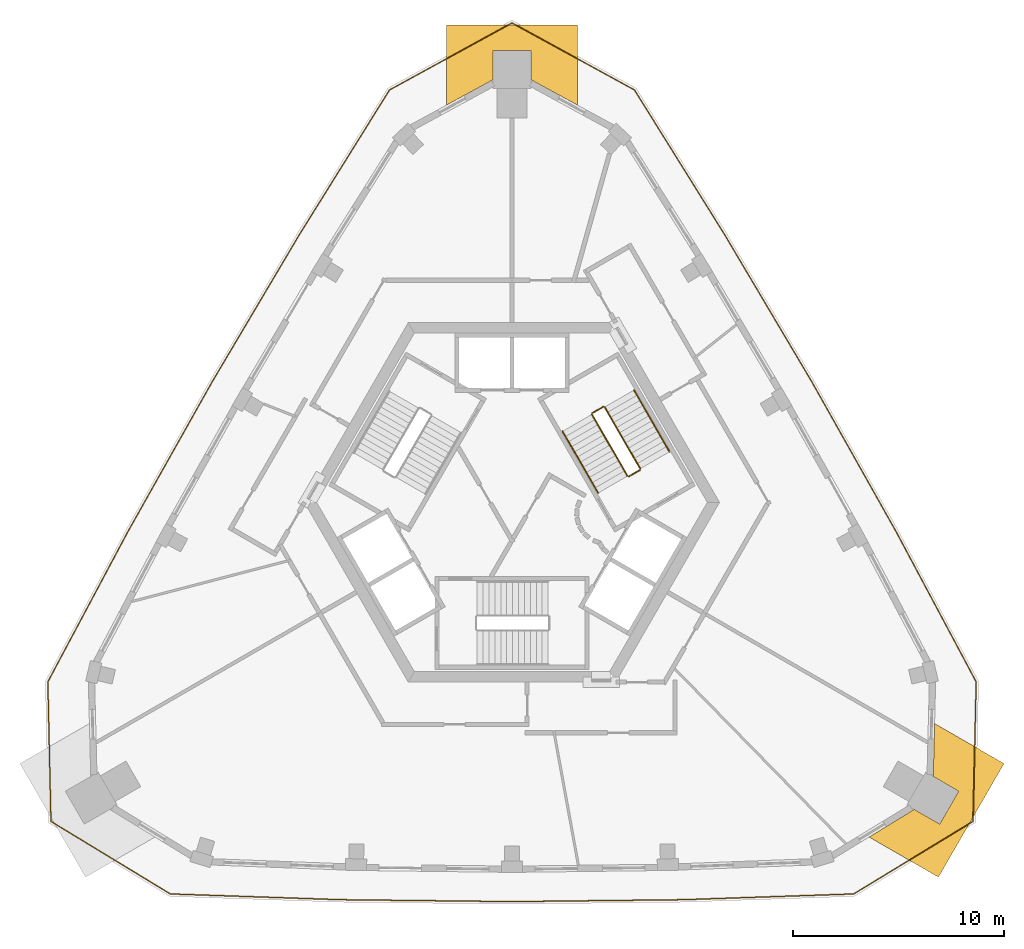
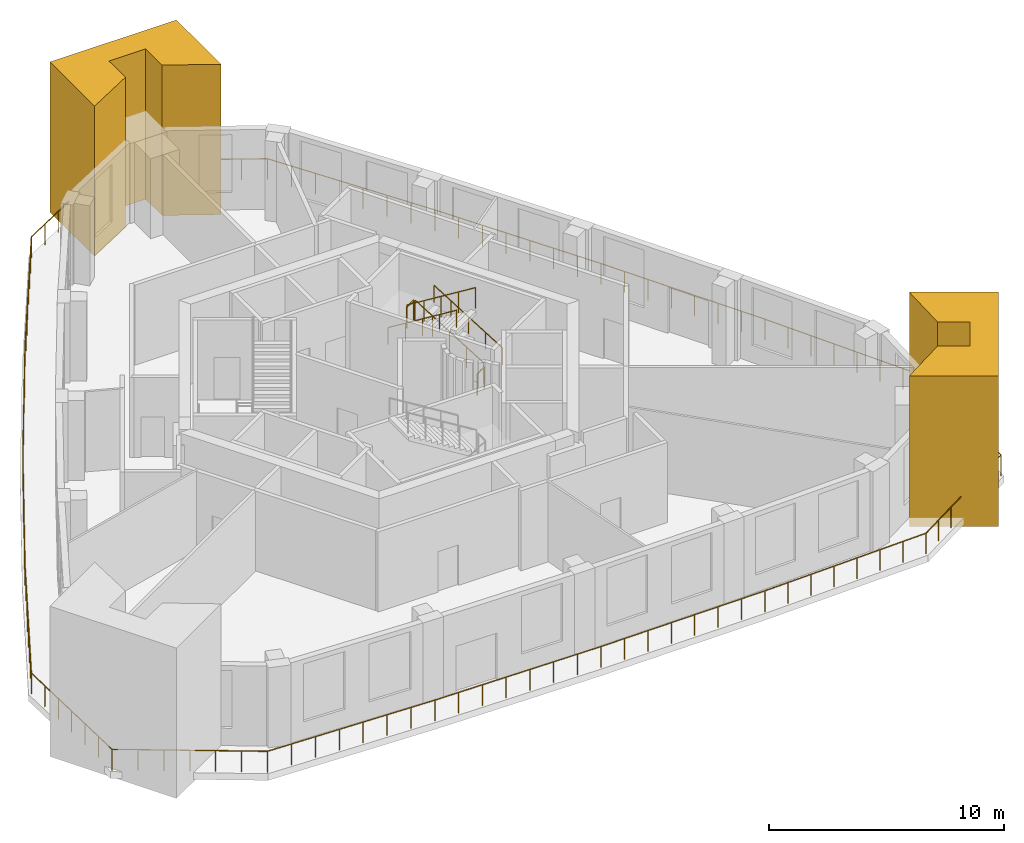
# One storey, part 7 of 7: 7 railings, 2 coverings.
"""IFC4 building model written with IfcOpenShell, lengths in metres."""

from ifc_helpers import new_model, si_unit, direction, frame, origin, origin_2d, place, context, subcontext, project, spatial, polyline, circle, outline, extrude, material, type_object, element, save


model = new_model("IFC4")

# Units and contexts
model_context = context("Model", 3, precision=1e-05, world=origin(), true_north=direction((0.0, 1.0)))
body_context = subcontext(model_context, "Body", "Model", "MODEL_VIEW")
ifc_project = project(units=[si_unit("LENGTHUNIT", "METRE"), si_unit("AREAUNIT", "SQUARE_METRE"), si_unit("VOLUMEUNIT", "CUBIC_METRE"), si_unit("PLANEANGLEUNIT", "RADIAN"), si_unit("MASSUNIT", "GRAM", prefix="KILO")], contexts=[model_context])

# Site, building, storey
site_placement = place(None, origin())
site = spatial("IfcSite", under=ifc_project, at=site_placement, CompositionType="ELEMENT")
building_placement = place(site_placement, origin())
building = spatial("IfcBuilding", under=site, at=building_placement, Name="Entoto Arch Interchange Tower", CompositionType="ELEMENT")
storey_placement = place(building_placement, frame((0.0, 0.0, 340.39990234375)))
storey = spatial("IfcBuildingStorey", under=building, at=storey_placement, Name="L80", CompositionType="ELEMENT", Elevation=340.39990234375)

# Railing
ifc_material_1 = material(Name="Stainless steel 1.4301", Category="steel")
railing_type_1 = type_object("IfcRailingType", Name="GUARD 1100 STEEL AND GLASS", PredefinedType="GUARDRAIL", material=ifc_material_1)
railing_1_placement = place(storey_placement, frame((-16.157958984375, -16.01708984375, 0.0)))
element("IfcRailing", 1, at=railing_1_placement, inside=storey, type_object=railing_type_1, Name="Terrace guard L80", PredefinedType="GUARDRAIL", context=body_context, shape_type="SweptSolid", body=[
    extrude(circle(Radius=0.02392578125, at=origin_2d()), frame((0.0, 0.0, 1.076171875), z_axis=(-0.854662166932, 0.519184534068, 0.0), x_axis=(-0.519184534068, -0.854662166932, 0.0)), (0.0, 0.0, 1.0), 6.60498046875),
    extrude(circle(Radius=0.02392578125, at=origin_2d()), frame((-5.64501953125, 3.42919921875, 1.076171875), z_axis=(-0.022253685279, 0.999752356082, 0.0), x_axis=(-0.999752356082, -0.022253685279, 0.0)), (0.0, 0.0, 1.0), 6.6044921875),
    extrude(circle(Radius=0.02392578125, at=origin_2d()), frame((-5.7919921875, 10.031982421875, 1.076171875), z_axis=(0.470449991734, 0.882426657166, 0.0), x_axis=(-0.882426657166, 0.470449991734, 0.0)), (0.0, 0.0, 1.0), 8.066650390625),
    extrude(circle(Radius=0.02392578125, at=origin_2d()), frame((-1.9970703125, 17.150146484375, 1.076171875), z_axis=(0.490305617372, 0.871550573159, 0.0), x_axis=(-0.871550573159, 0.490305617372, 0.0)), (0.0, 0.0, 1.0), 8.096923828125),
    extrude(circle(Radius=0.02392578125, at=origin_2d()), frame((1.972900390625, 24.20703125, 1.076171875), z_axis=(0.509703204046, 0.860350302949, 0.0), x_axis=(-0.860350302949, 0.509703204046, 0.0)), (0.0, 0.0, 1.0), 8.0966796875),
    extrude(circle(Radius=0.02392578125, at=origin_2d()), frame((6.099853515625, 31.173095703125, 1.076171875), z_axis=(0.52878766674, 0.848754147857, 0.0), x_axis=(-0.848754147857, 0.52878766674, 0.0)), (0.0, 0.0, 1.0), 8.06591796875),
    extrude(circle(Radius=0.02392578125, at=origin_2d()), frame((10.364990234375, 38.01904296875, 1.076171875), z_axis=(0.877048065384, 0.480402634263, 0.0), x_axis=(-0.480402634263, 0.877048065384, 0.0)), (0.0, 0.0, 1.0), 6.60498046875),
    extrude(circle(Radius=0.02392578125, at=origin_2d()), frame((16.157958984375, 41.192138671875, 1.076171875), z_axis=(0.877048065384, -0.480402634263, 0.0), x_axis=(0.480402634263, 0.877048065384, 0.0)), (0.0, 0.0, 1.0), 6.60498046875),
    extrude(circle(Radius=0.02392578125, at=origin_2d()), frame((21.950927734375, 38.01904296875, 1.076171875), z_axis=(0.52878766674, -0.848754147857, 0.0), x_axis=(0.848754147857, 0.52878766674, 0.0)), (0.0, 0.0, 1.0), 8.06591796875),
    extrude(circle(Radius=0.02392578125, at=origin_2d()), frame((26.216064453125, 31.173095703125, 1.076171875), z_axis=(0.509703204046, -0.860350302949, 0.0), x_axis=(0.860350302949, 0.509703204046, 0.0)), (0.0, 0.0, 1.0), 8.0966796875),
    extrude(circle(Radius=0.02392578125, at=origin_2d()), frame((30.343017578125, 24.20703125, 1.076171875), z_axis=(0.490305617372, -0.871550573159, 0.0), x_axis=(0.871550573159, 0.490305617372, 0.0)), (0.0, 0.0, 1.0), 8.096923828125),
    extrude(circle(Radius=0.02392578125, at=origin_2d()), frame((34.31298828125, 17.150146484375, 1.076171875), z_axis=(0.470449991734, -0.882426657166, 0.0), x_axis=(0.882426657166, 0.470449991734, 0.0)), (0.0, 0.0, 1.0), 8.066650390625),
    extrude(circle(Radius=0.02392578125, at=origin_2d()), frame((38.10791015625, 10.031982421875, 1.076171875), z_axis=(-0.022253685279, -0.999752356082, 0.0), x_axis=(0.999752356082, -0.022253685279, 0.0)), (0.0, 0.0, 1.0), 6.6044921875),
    extrude(circle(Radius=0.02392578125, at=origin_2d()), frame((37.9609375, 3.42919921875, 1.076171875), z_axis=(-0.854662166932, -0.519184534068, 0.0), x_axis=(0.519184534068, -0.854662166932, 0.0)), (0.0, 0.0, 1.0), 6.60498046875),
    extrude(circle(Radius=0.02392578125, at=origin_2d()), frame((32.31591796875, 0.0, 1.076171875), z_axis=(-0.999431732364, -0.033707749012, 0.0), x_axis=(0.033707749012, -0.999431732364, 0.0)), (0.0, 0.0, 1.0), 8.068603515625),
    extrude(circle(Radius=0.02392578125, at=origin_2d()), frame((24.251953125, -0.27197265625, 1.076171875), z_axis=(-0.999937053845, -0.011219997709, 0.0), x_axis=(0.011219997709, -0.999937053845, 0.0)), (0.0, 0.0, 1.0), 8.094482421875),
    extrude(circle(Radius=0.02392578125, at=origin_2d()), frame((16.157958984375, -0.36279296875, 1.076171875), z_axis=(-0.999937053845, 0.011219997709, 0.0), x_axis=(-0.011219997709, -0.999937053845, 0.0)), (0.0, 0.0, 1.0), 8.094482421875),
    extrude(circle(Radius=0.02392578125, at=origin_2d()), frame((8.06396484375, -0.27197265625, 1.076171875), z_axis=(-0.999431732364, 0.033707749012, 0.0), x_axis=(-0.033707749012, -0.999431732364, 0.0)), (0.0, 0.0, 1.0), 8.068603515625),
    extrude(circle(Radius=0.02099609375, at=origin_2d()), origin(), (0.0, 0.0, 1.0), 1.052001953125),
    extrude(circle(Radius=0.02099609375, at=origin_2d()), frame((-0.94091796875, 0.571533203125, 0.0)), (0.0, 0.0, 1.0), 1.052001953125),
    extrude(circle(Radius=0.02099609375, at=origin_2d()), frame((-1.881591796875, 1.14306640625, 0.0)), (0.0, 0.0, 1.0), 1.052001953125),
    extrude(circle(Radius=0.02099609375, at=origin_2d()), frame((-2.822509765625, 1.714599609375, 0.0)), (0.0, 0.0, 1.0), 1.052001953125),
    extrude(circle(Radius=0.02099609375, at=origin_2d()), frame((-3.763427734375, 2.2861328125, 0.0)), (0.0, 0.0, 1.0), 1.052001953125),
    extrude(circle(Radius=0.02099609375, at=origin_2d()), frame((-4.7041015625, 2.857666015625, 0.0)), (0.0, 0.0, 1.0), 1.052001953125),
    extrude(circle(Radius=0.02099609375, at=origin_2d()), frame((-5.64501953125, 3.42919921875, 0.0)), (0.0, 0.0, 1.0), 1.052001953125),
    extrude(circle(Radius=0.02099609375, at=origin_2d()), frame((-5.66943359375, 4.52978515625, 0.0)), (0.0, 0.0, 1.0), 1.052001953125),
    extrude(circle(Radius=0.02099609375, at=origin_2d()), frame((-5.694091796875, 5.630126953125, 0.0)), (0.0, 0.0, 1.0), 1.052001953125),
    extrude(circle(Radius=0.02099609375, at=origin_2d()), frame((-5.718505859375, 6.73046875, 0.0)), (0.0, 0.0, 1.0), 1.052001953125),
    extrude(circle(Radius=0.02099609375, at=origin_2d()), frame((-5.742919921875, 7.8310546875, 0.0)), (0.0, 0.0, 1.0), 1.052001953125),
    extrude(circle(Radius=0.02099609375, at=origin_2d()), frame((-5.767578125, 8.931640625, 0.0)), (0.0, 0.0, 1.0), 1.052001953125),
    extrude(circle(Radius=0.02099609375, at=origin_2d()), frame((-5.7919921875, 10.031982421875, 0.0)), (0.0, 0.0, 1.0), 1.052001953125),
    extrude(circle(Radius=0.02099609375, at=origin_2d()), frame((-5.249755859375, 11.048828125, 0.0)), (0.0, 0.0, 1.0), 1.052001953125),
    extrude(circle(Radius=0.02099609375, at=origin_2d()), frame((-4.707763671875, 12.065673828125, 0.0)), (0.0, 0.0, 1.0), 1.052001953125),
    extrude(circle(Radius=0.02099609375, at=origin_2d()), frame((-4.16552734375, 13.08251953125, 0.0)), (0.0, 0.0, 1.0), 1.052001953125),
    extrude(circle(Radius=0.02099609375, at=origin_2d()), frame((-3.62353515625, 14.099609375, 0.0)), (0.0, 0.0, 1.0), 1.052001953125),
    extrude(circle(Radius=0.02099609375, at=origin_2d()), frame((-3.081298828125, 15.116455078125, 0.0)), (0.0, 0.0, 1.0), 1.052001953125),
    extrude(circle(Radius=0.02099609375, at=origin_2d()), frame((-2.539306640625, 16.13330078125, 0.0)), (0.0, 0.0, 1.0), 1.052001953125),
    extrude(circle(Radius=0.02099609375, at=origin_2d()), frame((-1.9970703125, 17.150146484375, 0.0)), (0.0, 0.0, 1.0), 1.052001953125),
    extrude(circle(Radius=0.02099609375, at=origin_2d()), frame((-1.429931640625, 18.158203125, 0.0)), (0.0, 0.0, 1.0), 1.052001953125),
    extrude(circle(Radius=0.02099609375, at=origin_2d()), frame((-0.86279296875, 19.16650390625, 0.0)), (0.0, 0.0, 1.0), 1.052001953125),
    extrude(circle(Radius=0.02099609375, at=origin_2d()), frame((-0.295654296875, 20.174560546875, 0.0)), (0.0, 0.0, 1.0), 1.052001953125),
    extrude(circle(Radius=0.02099609375, at=origin_2d()), frame((0.271484375, 21.1826171875, 0.0)), (0.0, 0.0, 1.0), 1.052001953125),
    extrude(circle(Radius=0.02099609375, at=origin_2d()), frame((0.838623046875, 22.190673828125, 0.0)), (0.0, 0.0, 1.0), 1.052001953125),
    extrude(circle(Radius=0.02099609375, at=origin_2d()), frame((1.40576171875, 23.198974609375, 0.0)), (0.0, 0.0, 1.0), 1.052001953125),
    extrude(circle(Radius=0.02099609375, at=origin_2d()), frame((1.972900390625, 24.20703125, 0.0)), (0.0, 0.0, 1.0), 1.052001953125),
    extrude(circle(Radius=0.02099609375, at=origin_2d()), frame((2.5625, 25.2021484375, 0.0)), (0.0, 0.0, 1.0), 1.052001953125),
    extrude(circle(Radius=0.02099609375, at=origin_2d()), frame((3.152099609375, 26.197265625, 0.0)), (0.0, 0.0, 1.0), 1.052001953125),
    extrude(circle(Radius=0.02099609375, at=origin_2d()), frame((3.74169921875, 27.1923828125, 0.0)), (0.0, 0.0, 1.0), 1.052001953125),
    extrude(circle(Radius=0.02099609375, at=origin_2d()), frame((4.3310546875, 28.187744140625, 0.0)), (0.0, 0.0, 1.0), 1.052001953125),
    extrude(circle(Radius=0.02099609375, at=origin_2d()), frame((4.920654296875, 29.182861328125, 0.0)), (0.0, 0.0, 1.0), 1.052001953125),
    extrude(circle(Radius=0.02099609375, at=origin_2d()), frame((5.51025390625, 30.177978515625, 0.0)), (0.0, 0.0, 1.0), 1.052001953125),
    extrude(circle(Radius=0.02099609375, at=origin_2d()), frame((6.099853515625, 31.173095703125, 0.0)), (0.0, 0.0, 1.0), 1.052001953125),
    extrude(circle(Radius=0.02099609375, at=origin_2d()), frame((6.709228515625, 32.151123046875, 0.0)), (0.0, 0.0, 1.0), 1.052001953125),
    extrude(circle(Radius=0.02099609375, at=origin_2d()), frame((7.318359375, 33.129150390625, 0.0)), (0.0, 0.0, 1.0), 1.052001953125),
    extrude(circle(Radius=0.02099609375, at=origin_2d()), frame((7.927734375, 34.107177734375, 0.0)), (0.0, 0.0, 1.0), 1.052001953125),
    extrude(circle(Radius=0.02099609375, at=origin_2d()), frame((8.537109375, 35.0849609375, 0.0)), (0.0, 0.0, 1.0), 1.052001953125),
    extrude(circle(Radius=0.02099609375, at=origin_2d()), frame((9.146484375, 36.06298828125, 0.0)), (0.0, 0.0, 1.0), 1.052001953125),
    extrude(circle(Radius=0.02099609375, at=origin_2d()), frame((9.755615234375, 37.041015625, 0.0)), (0.0, 0.0, 1.0), 1.052001953125),
    extrude(circle(Radius=0.02099609375, at=origin_2d()), frame((10.364990234375, 38.01904296875, 0.0)), (0.0, 0.0, 1.0), 1.052001953125),
    extrude(circle(Radius=0.02099609375, at=origin_2d()), frame((11.33056640625, 38.5478515625, 0.0)), (0.0, 0.0, 1.0), 1.052001953125),
    extrude(circle(Radius=0.02099609375, at=origin_2d()), frame((12.2958984375, 39.07666015625, 0.0)), (0.0, 0.0, 1.0), 1.052001953125),
    extrude(circle(Radius=0.02099609375, at=origin_2d()), frame((13.261474609375, 39.60546875, 0.0)), (0.0, 0.0, 1.0), 1.052001953125),
    extrude(circle(Radius=0.02099609375, at=origin_2d()), frame((14.22705078125, 40.134521484375, 0.0)), (0.0, 0.0, 1.0), 1.052001953125),
    extrude(circle(Radius=0.02099609375, at=origin_2d()), frame((15.1923828125, 40.663330078125, 0.0)), (0.0, 0.0, 1.0), 1.052001953125),
    extrude(circle(Radius=0.02099609375, at=origin_2d()), frame((16.157958984375, 41.192138671875, 0.0)), (0.0, 0.0, 1.0), 1.052001953125),
    extrude(circle(Radius=0.02099609375, at=origin_2d()), frame((17.12353515625, 40.663330078125, 0.0)), (0.0, 0.0, 1.0), 1.052001953125),
    extrude(circle(Radius=0.02099609375, at=origin_2d()), frame((18.0888671875, 40.134521484375, 0.0)), (0.0, 0.0, 1.0), 1.052001953125),
    extrude(circle(Radius=0.02099609375, at=origin_2d()), frame((19.054443359375, 39.60546875, 0.0)), (0.0, 0.0, 1.0), 1.052001953125),
    extrude(circle(Radius=0.02099609375, at=origin_2d()), frame((20.02001953125, 39.07666015625, 0.0)), (0.0, 0.0, 1.0), 1.052001953125),
    extrude(circle(Radius=0.02099609375, at=origin_2d()), frame((20.9853515625, 38.5478515625, 0.0)), (0.0, 0.0, 1.0), 1.052001953125),
    extrude(circle(Radius=0.02099609375, at=origin_2d()), frame((21.950927734375, 38.01904296875, 0.0)), (0.0, 0.0, 1.0), 1.052001953125),
    extrude(circle(Radius=0.02099609375, at=origin_2d()), frame((22.560302734375, 37.041015625, 0.0)), (0.0, 0.0, 1.0), 1.052001953125),
    extrude(circle(Radius=0.02099609375, at=origin_2d()), frame((23.16943359375, 36.06298828125, 0.0)), (0.0, 0.0, 1.0), 1.052001953125),
    extrude(circle(Radius=0.02099609375, at=origin_2d()), frame((23.77880859375, 35.0849609375, 0.0)), (0.0, 0.0, 1.0), 1.052001953125),
    extrude(circle(Radius=0.02099609375, at=origin_2d()), frame((24.38818359375, 34.107177734375, 0.0)), (0.0, 0.0, 1.0), 1.052001953125),
    extrude(circle(Radius=0.02099609375, at=origin_2d()), frame((24.99755859375, 33.129150390625, 0.0)), (0.0, 0.0, 1.0), 1.052001953125),
    extrude(circle(Radius=0.02099609375, at=origin_2d()), frame((25.606689453125, 32.151123046875, 0.0)), (0.0, 0.0, 1.0), 1.052001953125),
    extrude(circle(Radius=0.02099609375, at=origin_2d()), frame((26.216064453125, 31.173095703125, 0.0)), (0.0, 0.0, 1.0), 1.052001953125),
    extrude(circle(Radius=0.02099609375, at=origin_2d()), frame((26.8056640625, 30.177978515625, 0.0)), (0.0, 0.0, 1.0), 1.052001953125),
    extrude(circle(Radius=0.02099609375, at=origin_2d()), frame((27.395263671875, 29.182861328125, 0.0)), (0.0, 0.0, 1.0), 1.052001953125),
    extrude(circle(Radius=0.02099609375, at=origin_2d()), frame((27.98486328125, 28.187744140625, 0.0)), (0.0, 0.0, 1.0), 1.052001953125),
    extrude(circle(Radius=0.02099609375, at=origin_2d()), frame((28.57421875, 27.1923828125, 0.0)), (0.0, 0.0, 1.0), 1.052001953125),
    extrude(circle(Radius=0.02099609375, at=origin_2d()), frame((29.163818359375, 26.197265625, 0.0)), (0.0, 0.0, 1.0), 1.052001953125),
    extrude(circle(Radius=0.02099609375, at=origin_2d()), frame((29.75341796875, 25.2021484375, 0.0)), (0.0, 0.0, 1.0), 1.052001953125),
    extrude(circle(Radius=0.02099609375, at=origin_2d()), frame((30.343017578125, 24.20703125, 0.0)), (0.0, 0.0, 1.0), 1.052001953125),
    extrude(circle(Radius=0.02099609375, at=origin_2d()), frame((30.91015625, 23.198974609375, 0.0)), (0.0, 0.0, 1.0), 1.052001953125),
    extrude(circle(Radius=0.02099609375, at=origin_2d()), frame((31.477294921875, 22.190673828125, 0.0)), (0.0, 0.0, 1.0), 1.052001953125),
    extrude(circle(Radius=0.02099609375, at=origin_2d()), frame((32.04443359375, 21.1826171875, 0.0)), (0.0, 0.0, 1.0), 1.052001953125),
    extrude(circle(Radius=0.02099609375, at=origin_2d()), frame((32.611572265625, 20.174560546875, 0.0)), (0.0, 0.0, 1.0), 1.052001953125),
    extrude(circle(Radius=0.02099609375, at=origin_2d()), frame((33.1787109375, 19.16650390625, 0.0)), (0.0, 0.0, 1.0), 1.052001953125),
    extrude(circle(Radius=0.02099609375, at=origin_2d()), frame((33.745849609375, 18.158203125, 0.0)), (0.0, 0.0, 1.0), 1.052001953125),
    extrude(circle(Radius=0.02099609375, at=origin_2d()), frame((34.31298828125, 17.150146484375, 0.0)), (0.0, 0.0, 1.0), 1.052001953125),
    extrude(circle(Radius=0.02099609375, at=origin_2d()), frame((34.855224609375, 16.13330078125, 0.0)), (0.0, 0.0, 1.0), 1.052001953125),
    extrude(circle(Radius=0.02099609375, at=origin_2d()), frame((35.397216796875, 15.116455078125, 0.0)), (0.0, 0.0, 1.0), 1.052001953125),
    extrude(circle(Radius=0.02099609375, at=origin_2d()), frame((35.939453125, 14.099609375, 0.0)), (0.0, 0.0, 1.0), 1.052001953125),
    extrude(circle(Radius=0.02099609375, at=origin_2d()), frame((36.4814453125, 13.08251953125, 0.0)), (0.0, 0.0, 1.0), 1.052001953125),
    extrude(circle(Radius=0.02099609375, at=origin_2d()), frame((37.023681640625, 12.065673828125, 0.0)), (0.0, 0.0, 1.0), 1.052001953125),
    extrude(circle(Radius=0.02099609375, at=origin_2d()), frame((37.565673828125, 11.048828125, 0.0)), (0.0, 0.0, 1.0), 1.052001953125),
    extrude(circle(Radius=0.02099609375, at=origin_2d()), frame((38.10791015625, 10.031982421875, 0.0)), (0.0, 0.0, 1.0), 1.052001953125),
    extrude(circle(Radius=0.02099609375, at=origin_2d()), frame((38.08349609375, 8.931640625, 0.0)), (0.0, 0.0, 1.0), 1.052001953125),
    extrude(circle(Radius=0.02099609375, at=origin_2d()), frame((38.058837890625, 7.8310546875, 0.0)), (0.0, 0.0, 1.0), 1.052001953125),
    extrude(circle(Radius=0.02099609375, at=origin_2d()), frame((38.034423828125, 6.73046875, 0.0)), (0.0, 0.0, 1.0), 1.052001953125),
    extrude(circle(Radius=0.02099609375, at=origin_2d()), frame((38.010009765625, 5.630126953125, 0.0)), (0.0, 0.0, 1.0), 1.052001953125),
    extrude(circle(Radius=0.02099609375, at=origin_2d()), frame((37.9853515625, 4.52978515625, 0.0)), (0.0, 0.0, 1.0), 1.052001953125),
    extrude(circle(Radius=0.02099609375, at=origin_2d()), frame((37.9609375, 3.42919921875, 0.0)), (0.0, 0.0, 1.0), 1.052001953125),
    extrude(circle(Radius=0.02099609375, at=origin_2d()), frame((37.02001953125, 2.857666015625, 0.0)), (0.0, 0.0, 1.0), 1.052001953125),
    extrude(circle(Radius=0.02099609375, at=origin_2d()), frame((36.079345703125, 2.2861328125, 0.0)), (0.0, 0.0, 1.0), 1.052001953125),
    extrude(circle(Radius=0.02099609375, at=origin_2d()), frame((35.138427734375, 1.714599609375, 0.0)), (0.0, 0.0, 1.0), 1.052001953125),
    extrude(circle(Radius=0.02099609375, at=origin_2d()), frame((34.197509765625, 1.14306640625, 0.0)), (0.0, 0.0, 1.0), 1.052001953125),
    extrude(circle(Radius=0.02099609375, at=origin_2d()), frame((33.2568359375, 0.571533203125, 0.0)), (0.0, 0.0, 1.0), 1.052001953125),
    extrude(circle(Radius=0.02099609375, at=origin_2d()), frame((32.31591796875, 0.0, 0.0)), (0.0, 0.0, 1.0), 1.052001953125),
    extrude(circle(Radius=0.02099609375, at=origin_2d()), frame((31.163818359375, -0.038818359375, 0.0)), (0.0, 0.0, 1.0), 1.052001953125),
    extrude(circle(Radius=0.02099609375, at=origin_2d()), frame((30.011962890625, -0.07763671875, 0.0)), (0.0, 0.0, 1.0), 1.052001953125),
    extrude(circle(Radius=0.02099609375, at=origin_2d()), frame((28.85986328125, -0.116455078125, 0.0)), (0.0, 0.0, 1.0), 1.052001953125),
    extrude(circle(Radius=0.02099609375, at=origin_2d()), frame((27.7080078125, -0.155517578125, 0.0)), (0.0, 0.0, 1.0), 1.052001953125),
    extrude(circle(Radius=0.02099609375, at=origin_2d()), frame((26.555908203125, -0.1943359375, 0.0)), (0.0, 0.0, 1.0), 1.052001953125),
    extrude(circle(Radius=0.02099609375, at=origin_2d()), frame((25.404052734375, -0.233154296875, 0.0)), (0.0, 0.0, 1.0), 1.052001953125),
    extrude(circle(Radius=0.02099609375, at=origin_2d()), frame((24.251953125, -0.27197265625, 0.0)), (0.0, 0.0, 1.0), 1.052001953125),
    extrude(circle(Radius=0.02099609375, at=origin_2d()), frame((23.095703125, -0.284912109375, 0.0)), (0.0, 0.0, 1.0), 1.052001953125),
    extrude(circle(Radius=0.02099609375, at=origin_2d()), frame((21.939453125, -0.2978515625, 0.0)), (0.0, 0.0, 1.0), 1.052001953125),
    extrude(circle(Radius=0.02099609375, at=origin_2d()), frame((20.783203125, -0.310791015625, 0.0)), (0.0, 0.0, 1.0), 1.052001953125),
    extrude(circle(Radius=0.02099609375, at=origin_2d()), frame((19.626708984375, -0.323974609375, 0.0)), (0.0, 0.0, 1.0), 1.052001953125),
    extrude(circle(Radius=0.02099609375, at=origin_2d()), frame((18.470458984375, -0.3369140625, 0.0)), (0.0, 0.0, 1.0), 1.052001953125),
    extrude(circle(Radius=0.02099609375, at=origin_2d()), frame((17.314208984375, -0.349853515625, 0.0)), (0.0, 0.0, 1.0), 1.052001953125),
    extrude(circle(Radius=0.02099609375, at=origin_2d()), frame((16.157958984375, -0.36279296875, 0.0)), (0.0, 0.0, 1.0), 1.052001953125),
    extrude(circle(Radius=0.02099609375, at=origin_2d()), frame((15.001708984375, -0.349853515625, 0.0)), (0.0, 0.0, 1.0), 1.052001953125),
    extrude(circle(Radius=0.02099609375, at=origin_2d()), frame((13.845458984375, -0.3369140625, 0.0)), (0.0, 0.0, 1.0), 1.052001953125),
    extrude(circle(Radius=0.02099609375, at=origin_2d()), frame((12.689208984375, -0.323974609375, 0.0)), (0.0, 0.0, 1.0), 1.052001953125),
    extrude(circle(Radius=0.02099609375, at=origin_2d()), frame((11.53271484375, -0.310791015625, 0.0)), (0.0, 0.0, 1.0), 1.052001953125),
    extrude(circle(Radius=0.02099609375, at=origin_2d()), frame((10.37646484375, -0.2978515625, 0.0)), (0.0, 0.0, 1.0), 1.052001953125),
    extrude(circle(Radius=0.02099609375, at=origin_2d()), frame((9.22021484375, -0.284912109375, 0.0)), (0.0, 0.0, 1.0), 1.052001953125),
    extrude(circle(Radius=0.02099609375, at=origin_2d()), frame((8.06396484375, -0.27197265625, 0.0)), (0.0, 0.0, 1.0), 1.052001953125),
    extrude(circle(Radius=0.02099609375, at=origin_2d()), frame((6.911865234375, -0.233154296875, 0.0)), (0.0, 0.0, 1.0), 1.052001953125),
    extrude(circle(Radius=0.02099609375, at=origin_2d()), frame((5.760009765625, -0.1943359375, 0.0)), (0.0, 0.0, 1.0), 1.052001953125),
    extrude(circle(Radius=0.02099609375, at=origin_2d()), frame((4.60791015625, -0.155517578125, 0.0)), (0.0, 0.0, 1.0), 1.052001953125),
    extrude(circle(Radius=0.02099609375, at=origin_2d()), frame((3.4560546875, -0.116455078125, 0.0)), (0.0, 0.0, 1.0), 1.052001953125),
    extrude(circle(Radius=0.02099609375, at=origin_2d()), frame((2.303955078125, -0.07763671875, 0.0)), (0.0, 0.0, 1.0), 1.052001953125),
    extrude(circle(Radius=0.02099609375, at=origin_2d()), frame((1.152099609375, -0.038818359375, 0.0)), (0.0, 0.0, 1.0), 1.052001953125),
])

# Coverings
ifc_material_2 = material(Name="Board-marked precast concrete C50/60", Category="concrete")
covering_type = type_object("IfcCoveringType", Name="PRECAST FRAME COURSE", PredefinedType="CLADDING", material=ifc_material_2)
covering_1_placement = place(storey_placement, frame((0.0, 0.0, -0.449951171875)))
element("IfcCovering", 2, at=covering_1_placement, inside=storey, type_object=covering_type, Name="Corner pilaster SE L80-L81", PredefinedType="CLADDING", context=body_context, shape_type="SweptSolid", body=[
    extrude(outline(polyline([(23.26708984375, -9.85302734375), (20.1669921875, -15.222900390625), (16.885986328125, -13.3291015625), (19.02392578125, -12.02197265625), (20.22705078125, -12.717041015625), (21.126953125, -11.158935546875), (19.924072265625, -10.464111328125), (19.986083984375, -7.9599609375), (23.26708984375, -9.85302734375)])), origin(), (0.0, 0.0, 1.0), 7.800048828125),
])
covering_2_placement = place(storey_placement, frame((0.0, 0.0, -0.449951171875)))
element("IfcCovering", 3, at=covering_2_placement, inside=storey, type_object=covering_type, Name="Corner pilaster N L80-L81", PredefinedType="CLADDING", context=body_context, shape_type="SweptSolid", body=[
    extrude(outline(polyline([(-3.10009765625, 25.075927734375), (3.10009765625, 25.075927734375), (3.10009765625, 21.2880859375), (0.89990234375, 22.486083984375), (0.89990234375, 23.8759765625), (-0.89990234375, 23.8759765625), (-0.89990234375, 22.486083984375), (-3.10009765625, 21.2880859375), (-3.10009765625, 25.075927734375)])), origin(), (0.0, 0.0, 1.0), 7.800048828125),
])

# Railings
railing_type_2 = type_object("IfcRailingType", Name="STAIR GUARD 1100 STEEL", PredefinedType="GUARDRAIL", material=ifc_material_1)
railing_2_placement = place(storey_placement, frame((6.064453125, 4.095947265625, 0.173095703125)))
element("IfcRailing", 4, at=railing_2_placement, inside=storey, type_object=railing_type_2, Name="L80 ST-NE stair guard 1", PredefinedType="GUARDRAIL", context=body_context, shape_type="SweptSolid", body=[
    extrude(circle(Radius=0.02392578125, at=origin_2d()), frame((0.0, 0.0, 1.076171875), z_axis=(-0.425288379326, 0.736667954249, 0.525785240943), x_axis=(-0.866039179741, -0.499976138585, 0.0)), (0.0, 0.0, 1.0), 3.9501953125),
    extrude(circle(Radius=0.02099609375, at=origin_2d()), origin(), (0.0, 0.0, 1.0), 1.052001953125),
    extrude(circle(Radius=0.02099609375, at=origin_2d()), frame((-0.419921875, 0.7275390625, 0.519287109375)), (0.0, 0.0, 1.0), 1.052001953125),
    extrude(circle(Radius=0.02099609375, at=origin_2d()), frame((-0.83984375, 1.455078125, 1.03857421875)), (0.0, 0.0, 1.0), 1.052001953125),
    extrude(circle(Radius=0.02099609375, at=origin_2d()), frame((-1.260009765625, 2.182373046875, 1.5576171875)), (0.0, 0.0, 1.0), 1.052001953125),
    extrude(circle(Radius=0.02099609375, at=origin_2d()), frame((-1.679931640625, 2.909912109375, 2.076904296875)), (0.0, 0.0, 1.0), 1.052001953125),
])
railing_3_placement = place(storey_placement, frame((4.316162109375, 7.024169921875, 2.25)))
element("IfcRailing", 5, at=railing_3_placement, inside=storey, type_object=railing_type_2, Name="L80 ST-NE stair guard 2", PredefinedType="GUARDRAIL", context=body_context, shape_type="SweptSolid", body=[
    extrude(circle(Radius=0.02392578125, at=origin_2d()), frame((0.0, 0.0, 1.076171875), z_axis=(-0.865955154139, -0.50012165622, 0.0), x_axis=(0.50012165622, -0.865955154139, 0.0)), (0.0, 0.0, 1.0), 0.599853515625),
    extrude(circle(Radius=0.02099609375, at=origin_2d()), origin(), (0.0, 0.0, 1.0), 1.052001953125),
    extrude(circle(Radius=0.02099609375, at=origin_2d()), frame((-0.51953125, -0.300048828125, 0.0)), (0.0, 0.0, 1.0), 1.052001953125),
])
railing_4_placement = place(storey_placement, frame((3.7783203125, 6.656005859375, 2.423095703125)))
element("IfcRailing", 6, at=railing_4_placement, inside=storey, type_object=railing_type_2, Name="L80 ST-NE stair guard 3", PredefinedType="GUARDRAIL", context=body_context, shape_type="SweptSolid", body=[
    extrude(circle(Radius=0.02392578125, at=origin_2d()), frame((0.0, 0.0, 1.076171875), z_axis=(0.425288379326, -0.736667954249, 0.525785240943), x_axis=(0.866039179741, 0.499976138585, 0.0)), (0.0, 0.0, 1.0), 3.9501953125),
    extrude(circle(Radius=0.02099609375, at=origin_2d()), origin(), (0.0, 0.0, 1.0), 1.052001953125),
    extrude(circle(Radius=0.02099609375, at=origin_2d()), frame((0.419921875, -0.7275390625, 0.519287109375)), (0.0, 0.0, 1.0), 1.052001953125),
    extrude(circle(Radius=0.02099609375, at=origin_2d()), frame((0.83984375, -1.455078125, 1.03857421875)), (0.0, 0.0, 1.0), 1.052001953125),
    extrude(circle(Radius=0.02099609375, at=origin_2d()), frame((1.260009765625, -2.182373046875, 1.5576171875)), (0.0, 0.0, 1.0), 1.052001953125),
    extrude(circle(Radius=0.02099609375, at=origin_2d()), frame((1.679931640625, -2.909912109375, 2.076904296875)), (0.0, 0.0, 1.0), 1.052001953125),
])
railing_5_placement = place(storey_placement, frame((6.046142578125, 4.02783203125, 0.0)))
element("IfcRailing", 7, at=railing_5_placement, inside=storey, type_object=railing_type_2, Name="L80 ST-NE stair guard 4", PredefinedType="GUARDRAIL", context=body_context, shape_type="SweptSolid", body=[
    extrude(circle(Radius=0.02392578125, at=origin_2d()), frame((0.0, 0.0, 1.076171875), z_axis=(-0.865955154139, -0.50012165622, 0.0), x_axis=(0.50012165622, -0.865955154139, 0.0)), (0.0, 0.0, 1.0), 0.599853515625),
    extrude(circle(Radius=0.02099609375, at=origin_2d()), origin(), (0.0, 0.0, 1.0), 1.052001953125),
    extrude(circle(Radius=0.02099609375, at=origin_2d()), frame((-0.51953125, -0.300048828125, 0.0)), (0.0, 0.0, 1.0), 1.052001953125),
])
railing_type_3 = type_object("IfcRailingType", Name="STAIR HANDRAIL 900 STEEL", PredefinedType="HANDRAIL", material=ifc_material_1)
railing_6_placement = place(storey_placement, frame((7.4501953125, 4.89599609375, 0.173095703125)))
element("IfcRailing", 8, at=railing_6_placement, inside=storey, type_object=railing_type_3, Name="L80 ST-NE stair handrail 1", PredefinedType="HANDRAIL", context=body_context, shape_type="SweptSolid", body=[
    extrude(circle(Radius=0.02392578125, at=origin_2d()), frame((0.0, 0.0, 0.8759765625), z_axis=(-0.42533900462, 0.736648589954, 0.52577141998), x_axis=(-0.866007717299, -0.500030632641, 0.0)), (0.0, 0.0, 1.0), 3.9501953125),
    extrude(circle(Radius=0.02099609375, at=origin_2d()), origin(), (0.0, 0.0, 1.0), 0.851806640625),
    extrude(circle(Radius=0.02099609375, at=origin_2d()), frame((-0.419921875, 0.7275390625, 0.519287109375)), (0.0, 0.0, 1.0), 0.851806640625),
    extrude(circle(Radius=0.02099609375, at=origin_2d()), frame((-0.840087890625, 1.455078125, 1.03857421875)), (0.0, 0.0, 1.0), 0.851806640625),
    extrude(circle(Radius=0.02099609375, at=origin_2d()), frame((-1.26025390625, 2.182373046875, 1.5576171875)), (0.0, 0.0, 1.0), 0.851806640625),
    extrude(circle(Radius=0.02099609375, at=origin_2d()), frame((-1.68017578125, 2.909912109375, 2.076904296875)), (0.0, 0.0, 1.0), 0.851806640625),
])
railing_7_placement = place(storey_placement, frame((2.392578125, 5.85595703125, 2.423095703125)))
element("IfcRailing", 9, at=railing_7_placement, inside=storey, type_object=railing_type_3, Name="L80 ST-NE stair handrail 2", PredefinedType="HANDRAIL", context=body_context, shape_type="SweptSolid", body=[
    extrude(circle(Radius=0.02392578125, at=origin_2d()), frame((0.0, 0.0, 0.8759765625), z_axis=(0.425288379326, -0.736667954249, 0.525785240943), x_axis=(0.866039179741, 0.499976138585, 0.0)), (0.0, 0.0, 1.0), 3.9501953125),
    extrude(circle(Radius=0.02099609375, at=origin_2d()), origin(), (0.0, 0.0, 1.0), 0.851806640625),
    extrude(circle(Radius=0.02099609375, at=origin_2d()), frame((0.419921875, -0.7275390625, 0.519287109375)), (0.0, 0.0, 1.0), 0.851806640625),
    extrude(circle(Radius=0.02099609375, at=origin_2d()), frame((0.83984375, -1.455078125, 1.03857421875)), (0.0, 0.0, 1.0), 0.851806640625),
    extrude(circle(Radius=0.02099609375, at=origin_2d()), frame((1.260009765625, -2.182373046875, 1.5576171875)), (0.0, 0.0, 1.0), 0.851806640625),
    extrude(circle(Radius=0.02099609375, at=origin_2d()), frame((1.679931640625, -2.909912109375, 2.076904296875)), (0.0, 0.0, 1.0), 0.851806640625),
])

save(model, "model.ifc")
